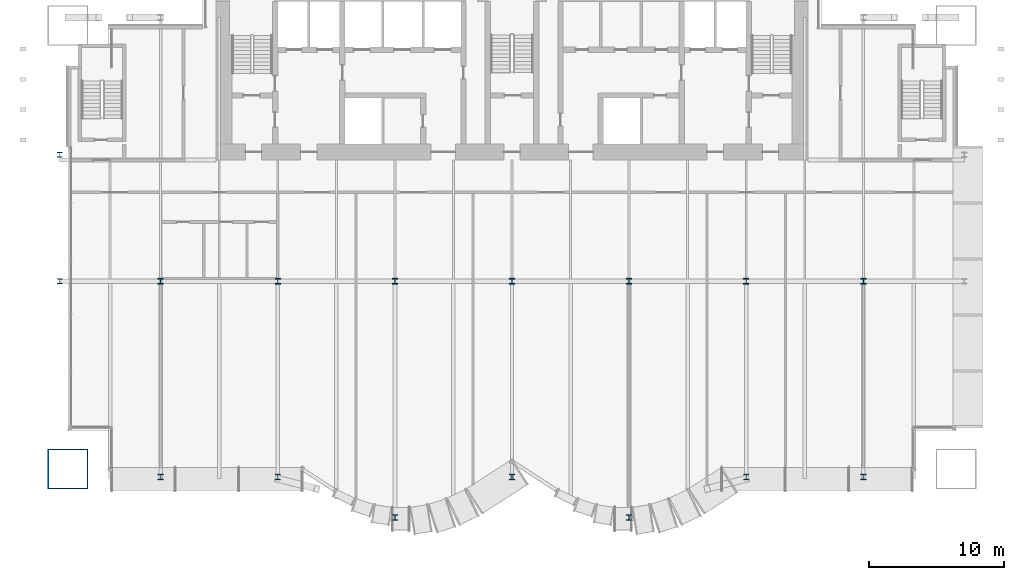
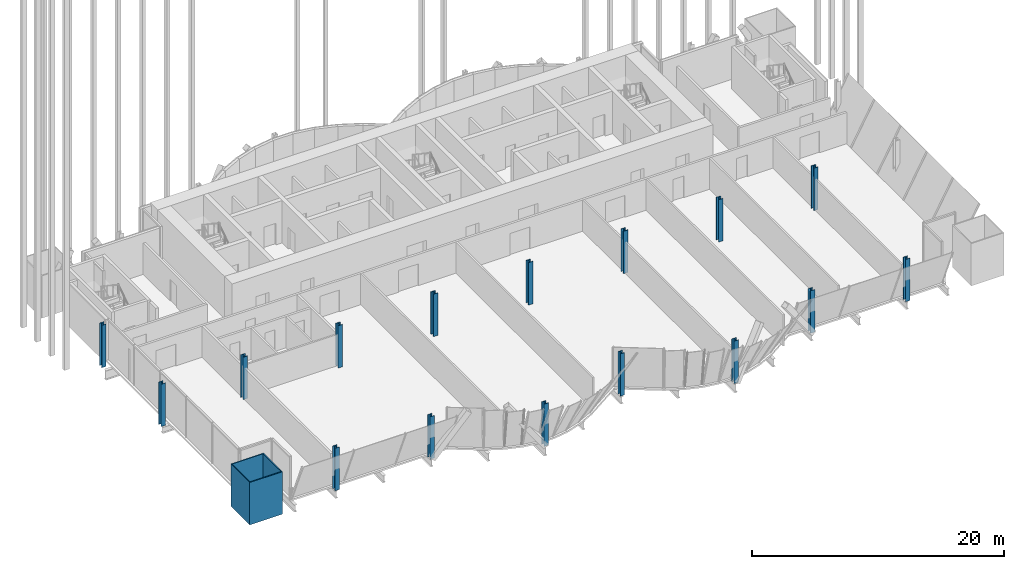
# One storey, part 1 of 22: 17 columns.
"""IFC4 building model written with IfcOpenShell, lengths in metres."""

import ifcopenshell
import ifcopenshell.guid

model = None  # the IFC model being written
_history = None  # IfcOwnerHistory: only IFC2X3 demands one
_inside = {}  # id of a spatial element -> (the spatial element, [elements in it])
_under = {}  # id of a project, library or spatial element -> (it, [spatial elements below it])
_declared = {}  # id of a project -> (the project, [libraries it declares])
_typed = {}  # id of a type object -> (the type object, [elements of that type])
_made_of = {}  # id of a material, layer set ... -> (it, [elements and type objects made of it])


def new_model(schema):
    """Start an empty IFC model of exactly this schema.

    Asked for "IFC4X3", IfcOpenShell would pick the latest addendum, in which some entities
    have other attributes; the version numbers below select the first issue.
    IFC2X3 requires an IfcOwnerHistory on every rooted entity: one is made here for all.
    """
    global model, _history
    if schema == "IFC4X3":
        model = ifcopenshell.file(schema_version=(4, 3, 0, 0))
    else:
        model = ifcopenshell.file(schema=schema)
    _inside.clear()
    _under.clear()
    _declared.clear()
    _typed.clear()
    _made_of.clear()
    _history = None
    if model.schema == "IFC2X3":
        org = make("IfcOrganization", Name="unknown")
        user = make(
            "IfcPersonAndOrganization",
            ThePerson=make("IfcPerson", FamilyName="unknown"),
            TheOrganization=org,
        )
        app = make(
            "IfcApplication",
            ApplicationDeveloper=org,
            Version="unknown",
            ApplicationFullName="unknown",
            ApplicationIdentifier="unknown",
        )
        _history = make(
            "IfcOwnerHistory",
            OwningUser=user,
            OwningApplication=app,
            ChangeAction="ADDED",
            CreationDate=0,
        )
    return model


def make(cls, **values):
    """One entity of the class cls with the attributes given. An attribute that is None is left unset."""
    return model.create_entity(
        cls, **{name: value for name, value in values.items() if value is not None}
    )


def rooted(cls, **values):
    """An entity with a GlobalId (a new one), such as an element, a storey or a relation."""
    return make(cls, GlobalId=ifcopenshell.guid.new(), OwnerHistory=_history, **values)


def si_unit(unit_type, name, prefix=None):
    """IfcSIUnit, for example si_unit("LENGTHUNIT", "METRE", prefix="MILLI")."""
    return make("IfcSIUnit", UnitType=unit_type, Prefix=prefix, Name=name)


def assignment(units):
    """IfcUnitAssignment: the units of a project."""
    return None if units is None else make("IfcUnitAssignment", Units=units)


def point(xyz):
    """IfcCartesianPoint."""
    return None if xyz is None else make("IfcCartesianPoint", Coordinates=xyz)


def direction(xyz):
    """IfcDirection."""
    return None if xyz is None else make("IfcDirection", DirectionRatios=xyz)


def frame(location, z_axis=None, x_axis=None):
    """IfcAxis2Placement3D, a coordinate frame: its origin and axes. An axis left out is left unset."""
    return make(
        "IfcAxis2Placement3D",
        Location=point(location),
        Axis=direction(z_axis),
        RefDirection=direction(x_axis),
    )


def frame_2d(location, x_axis=None):
    """IfcAxis2Placement2D, a coordinate frame in the plane: its origin and x axis."""
    return make(
        "IfcAxis2Placement2D", Location=point(location), RefDirection=direction(x_axis)
    )


def origin():
    """The frame at (0, 0, 0) with its axes left unset."""
    return frame((0.0, 0.0, 0.0))


def origin_2d():
    """The frame at (0, 0) in the plane with its x axis left unset."""
    return frame_2d((0.0, 0.0))


def place(relative_to, where):
    """IfcLocalPlacement: puts the frame where relative to a parent placement (None: the world)."""
    return make(
        "IfcLocalPlacement", PlacementRelTo=relative_to, RelativePlacement=where
    )


def context(
    kind, dimensions, precision=None, world=None, true_north=None, identifier=None
):
    """IfcGeometricRepresentationContext, for example the 3D "Model" context."""
    return make(
        "IfcGeometricRepresentationContext",
        ContextIdentifier=identifier,
        ContextType=kind,
        CoordinateSpaceDimension=dimensions,
        Precision=precision,
        WorldCoordinateSystem=world,
        TrueNorth=true_north,
    )


def subcontext(parent, identifier, kind, view, scale=None):
    """IfcGeometricRepresentationSubContext, for example "Body" below "Model"."""
    return make(
        "IfcGeometricRepresentationSubContext",
        ContextIdentifier=identifier,
        ContextType=kind,
        ParentContext=parent,
        TargetScale=scale,
        TargetView=view,
    )


def project(units=None, contexts=None):
    """IfcProject with its units and contexts."""
    return rooted(
        "IfcProject",
        Name="project",
        RepresentationContexts=contexts,
        UnitsInContext=assignment(units),
    )


def spatial(cls, under=None, at=None, **own):
    """A site, building, storey or space (cls), placed at a placement, below another one or the project."""
    s = rooted(cls, ObjectPlacement=at, **own)
    if under is not None:
        _under.setdefault(under.id(), (under, []))[1].append(s)
    return s


def profile(cls, at=None, kind="AREA", **sizes):
    """A parametric profile (cls). Its sizes go by their IFC names, for example OverallWidth=200.0."""
    return make(cls, ProfileType=kind, Position=at, **sizes)


def hollow_rectangle(**sizes):
    """IfcRectangleHollowProfileDef."""
    return profile("IfcRectangleHollowProfileDef", **sizes)


def i_section(**sizes):
    """IfcIShapeProfileDef."""
    return profile("IfcIShapeProfileDef", **sizes)


def extrude(swept, where, along, depth):
    """IfcExtrudedAreaSolid: the profile swept, set in the frame where, extruded along a direction by depth."""
    return make(
        "IfcExtrudedAreaSolid",
        SweptArea=swept,
        Position=where,
        ExtrudedDirection=direction(along),
        Depth=depth,
    )


def shape(context_of_items, identifier, shape_type, items):
    """IfcShapeRepresentation: the items that make up one representation, for example the "Body"."""
    return make(
        "IfcShapeRepresentation",
        ContextOfItems=context_of_items,
        RepresentationIdentifier=identifier,
        RepresentationType=shape_type,
        Items=items,
    )


def material(Name=None, Category=None):
    """IfcMaterial."""
    return make("IfcMaterial", Name=Name, Category=Category)


def material_profile(
    of_material, cross_section, Name=None, Category=None, Priority=None
):
    """IfcMaterialProfile: a cross section and its material."""
    return make(
        "IfcMaterialProfile",
        Name=Name,
        Material=of_material,
        Profile=cross_section,
        Priority=Priority,
        Category=Category,
    )


def profile_set(profiles, Name=None, composite=None):
    """IfcMaterialProfileSet."""
    return make(
        "IfcMaterialProfileSet",
        Name=Name,
        MaterialProfiles=profiles,
        CompositeProfile=composite,
    )


def made_of(thing, what):
    """Note that an element or type object is made of a material, layer set ...; save() writes the relation."""
    if what is not None:
        _made_of.setdefault(what.id(), (what, []))[1].append(thing)
    return thing


def type_object(cls, material=None, **own):
    """A type object (cls), such as IfcWallType, which elements share."""
    return made_of(rooted(cls, **own), material)


def element(
    cls,
    number,
    at=None,
    inside=None,
    cuts=None,
    type_object=None,
    material=None,
    context=None,
    identifier="Body",
    shape_type=None,
    held_by="IfcProductDefinitionShape",
    body=None,
    shapes=None,
    **own,
):
    """One element of the class cls, such as IfcWall. Its Tag is "e" and its number.

    at: its placement. inside: the storey or other place that contains it. cuts: it is an
    opening in that element (IfcRelVoidsElement). A single representation is given by context,
    identifier, shape_type and body (its items); several are given by shapes. held_by: the class
    of the entity that holds the representations. save() writes the other relations.
    """
    e = rooted(cls, Tag="e%d" % number, ObjectPlacement=at, **own)
    if body is not None:
        shapes = [shape(context, identifier, shape_type, body)]
    if shapes is not None:
        e.Representation = make(held_by, Representations=shapes)
    if inside is not None:
        _inside.setdefault(inside.id(), (inside, []))[1].append(e)
    if cuts is not None:
        rooted(
            "IfcRelVoidsElement", RelatingBuildingElement=cuts, RelatedOpeningElement=e
        )
    if type_object is not None:
        _typed.setdefault(type_object.id(), (type_object, []))[1].append(e)
    return made_of(e, material)


def aggregate(whole, parts):
    """IfcRelAggregates: a whole, such as a stair, and the parts it consists of."""
    return rooted("IfcRelAggregates", RelatingObject=whole, RelatedObjects=parts)


def save(model, path):
    """Write the relations noted so far, then the file.

    IfcRelAggregates (storeys below a building ...), IfcRelContainedInSpatialStructure (elements
    in a storey), IfcRelDefinesByType, IfcRelAssociatesMaterial and IfcRelDeclares: one each for
    every whole, place, type object, material and project.
    """
    for whole, parts in _under.values():
        aggregate(whole, parts)
    for where, things in _inside.values():
        rooted(
            "IfcRelContainedInSpatialStructure",
            RelatedElements=things,
            RelatingStructure=where,
        )
    for kind, things in _typed.values():
        rooted("IfcRelDefinesByType", RelatedObjects=things, RelatingType=kind)
    for what, things in _made_of.values():
        rooted("IfcRelAssociatesMaterial", RelatedObjects=things, RelatingMaterial=what)
    for by, libraries in _declared.values():
        rooted("IfcRelDeclares", RelatingContext=by, RelatedDefinitions=libraries)
    model.write(path)


model = new_model("IFC4")

# Units and contexts
model_context = context("Model", 3, precision=1e-05, world=origin(), true_north=direction((0.0, 1.0)))
body_context = subcontext(model_context, "Body", "Model", "MODEL_VIEW")
ifc_project = project(units=[si_unit("LENGTHUNIT", "METRE"), si_unit("AREAUNIT", "SQUARE_METRE"), si_unit("VOLUMEUNIT", "CUBIC_METRE"), si_unit("PLANEANGLEUNIT", "RADIAN"), si_unit("MASSUNIT", "GRAM", prefix="KILO")], contexts=[model_context])

# Site, building, storey
site_placement = place(None, origin())
site = spatial("IfcSite", under=ifc_project, at=site_placement, CompositionType="ELEMENT")
building_placement = place(site_placement, origin())
building = spatial("IfcBuilding", under=site, at=building_placement, Name="Bicima Exchange Tower", CompositionType="ELEMENT")
storey_placement = place(building_placement, frame((0.0, 0.0, 89.89990234375)))
storey = spatial("IfcBuildingStorey", under=building, at=storey_placement, Name="L18", CompositionType="ELEMENT", Elevation=89.89990234375)

# Columns
ifc_material_1 = material(Name="Steel ASTM A992 Gr 50", Category="steel")
ifc_material_profile_1 = material_profile(ifc_material_1, i_section(OverallWidth=0.406494140625, OverallDepth=0.41650390625, WebThickness=0.030029296875, FlangeThickness=0.048095703125, at=origin_2d()))
ifc_profile_set_1 = profile_set([ifc_material_profile_1], Name="Steel ASTM A992 Gr 50")
column_type_1 = type_object("IfcColumnType", Name="Interior column W14x257", PredefinedType="COLUMN", material=ifc_profile_set_1)
for number, where, z_axis, x_axis, name in (
    (1, (-26.10009765625, -22.0, 0.0), (0.0, 0.0, 1.0), (1.0, 0.0, 0.0), "Interior column interior-26.1i"),
    (2, (-17.39990234375, -22.0, 0.0), (0.0, 0.0, 1.0), (1.0, 0.0, 0.0), "Interior column interior-17.4i"),
    (3, (-8.699951171875, -22.0, 0.0), (0.0, 0.0, 1.0), (1.0, 0.0, 0.0), "Interior column interior-8.7i"),
    (4, (0.0, -22.0, 0.0), (0.0, 0.0, 1.0), (1.0, 0.0, 0.0), "Interior column interior+0.0i"),
    (5, (8.699951171875, -22.0, 0.0), (0.0, 0.0, 1.0), (1.0, 0.0, 0.0), "Interior column interior+8.7i"),
    (6, (17.39990234375, -22.0, 0.0), (0.0, 0.0, 1.0), (1.0, 0.0, 0.0), "Interior column interior+17.4i"),
    (7, (26.10009765625, -22.0, 0.0), (0.0, 0.0, 1.0), (1.0, 0.0, 0.0), "Interior column interior+26.1i"),
):
    element("IfcColumn", number, at=place(storey_placement, frame(where, z_axis=z_axis, x_axis=x_axis)), inside=storey, type_object=column_type_1, Name=name, PredefinedType="COLUMN", context=body_context, shape_type="SweptSolid", body=[
        extrude(i_section(OverallWidth=0.406494140625, OverallDepth=0.41650390625, WebThickness=0.030029296875, FlangeThickness=0.048095703125, at=origin_2d()), origin(), (0.0, 0.0, 1.0), 4.10009765625),
    ])
ifc_material_2 = material(Name="Steel ASTM A572 Gr 50", Category="steel")
ifc_material_profile_2 = material_profile(ifc_material_2, hollow_rectangle(XDim=3.0, YDim=3.0, WallThickness=0.090087890625, at=origin_2d()))
ifc_profile_set_2 = profile_set([ifc_material_profile_2], Name="Steel ASTM A572 Gr 50")
column_type_2 = type_object("IfcColumnType", Name="Mega column BOX 3000x3000x90", PredefinedType="COLUMN", material=ifc_profile_set_2)
column_placement = place(storey_placement, frame((-33.0, -35.949951171875, 0.0), z_axis=(0.0, 0.0, 1.0), x_axis=(1.0, 0.0, 0.0)))
element("IfcColumn", 8, at=column_placement, inside=storey, type_object=column_type_2, Name="Mega column mega-33.0f", PredefinedType="COLUMN", context=body_context, shape_type="SweptSolid", body=[
    extrude(hollow_rectangle(XDim=3.0, YDim=3.0, WallThickness=0.090087890625, at=origin_2d()), origin(), (0.0, 0.0, 1.0), 4.10009765625),
])
ifc_material_profile_3 = material_profile(ifc_material_1, i_section(OverallWidth=0.398681640625, OverallDepth=0.393798828125, WebThickness=0.022705078125, FlangeThickness=0.03662109375, at=origin_2d()))
ifc_profile_set_3 = profile_set([ifc_material_profile_3], Name="Steel ASTM A992 Gr 50")
column_type_3 = type_object("IfcColumnType", Name="Perimeter column W14x193", PredefinedType="COLUMN", material=ifc_profile_set_3)
for number, where, z_axis, x_axis, name in (
    (9, (-26.10009765625, -36.550048828125, 0.0), (0.0, 0.0, 1.0), (1.0, 0.0, 0.0), "Perimeter column grav-26.1f"),
    (10, (-17.39990234375, -36.550048828125, 0.0), (0.0, 0.0, 1.0), (1.0, 0.0, 0.0), "Perimeter column grav-17.4f"),
    (11, (-8.699951171875, -39.541015625, 0.0), (0.0, 0.0, 1.0), (1.0, 0.0, 0.0), "Perimeter column grav-8.7f"),
    (12, (0.0, -36.550048828125, 0.0), (0.0, 0.0, 1.0), (1.0, 0.0, 0.0), "Perimeter column grav-0.0f"),
    (13, (8.699951171875, -39.541015625, 0.0), (0.0, 0.0, 1.0), (1.0, 0.0, 0.0), "Perimeter column grav+8.7f"),
    (14, (17.39990234375, -36.550048828125, 0.0), (0.0, 0.0, 1.0), (1.0, 0.0, 0.0), "Perimeter column grav+17.4f"),
    (15, (26.10009765625, -36.550048828125, 0.0), (0.0, 0.0, 1.0), (1.0, 0.0, 0.0), "Perimeter column grav+26.1f"),
    (16, (-33.60009765625, -12.60009765625, 0.0), (0.0, 0.0, 1.0), (1.0, 0.0, 0.0), "End column end-33.6e"),
    (17, (-33.60009765625, -22.0, 0.0), (0.0, 0.0, 1.0), (1.0, 0.0, 0.0), "End column end-33.6e"),
):
    element("IfcColumn", number, at=place(storey_placement, frame(where, z_axis=z_axis, x_axis=x_axis)), inside=storey, type_object=column_type_3, Name=name, PredefinedType="COLUMN", context=body_context, shape_type="SweptSolid", body=[
        extrude(i_section(OverallWidth=0.398681640625, OverallDepth=0.393798828125, WebThickness=0.022705078125, FlangeThickness=0.03662109375, at=origin_2d()), origin(), (0.0, 0.0, 1.0), 4.10009765625),
    ])

save(model, "model.ifc")
